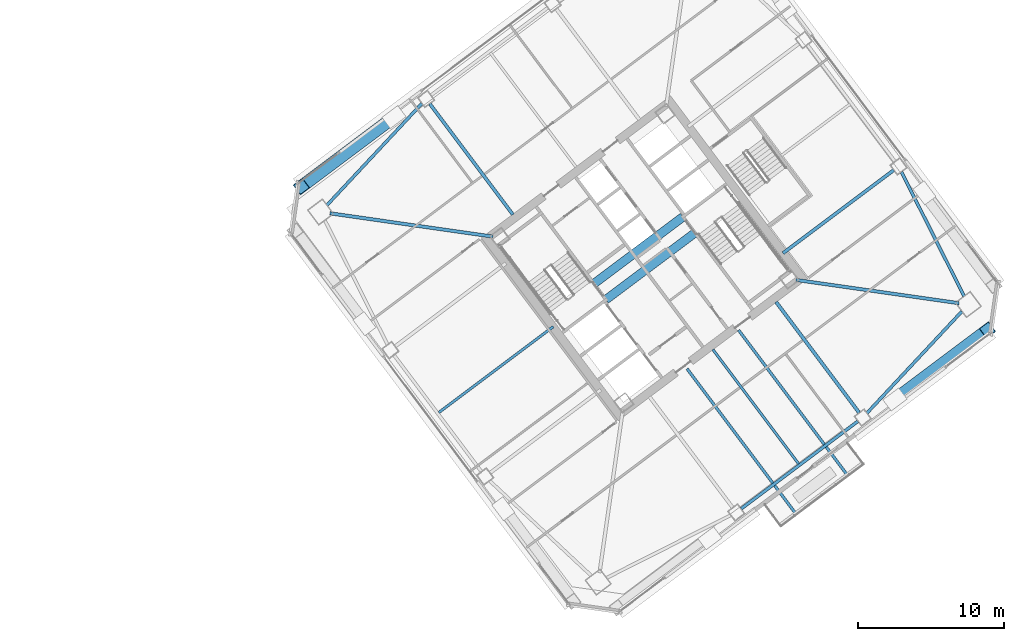
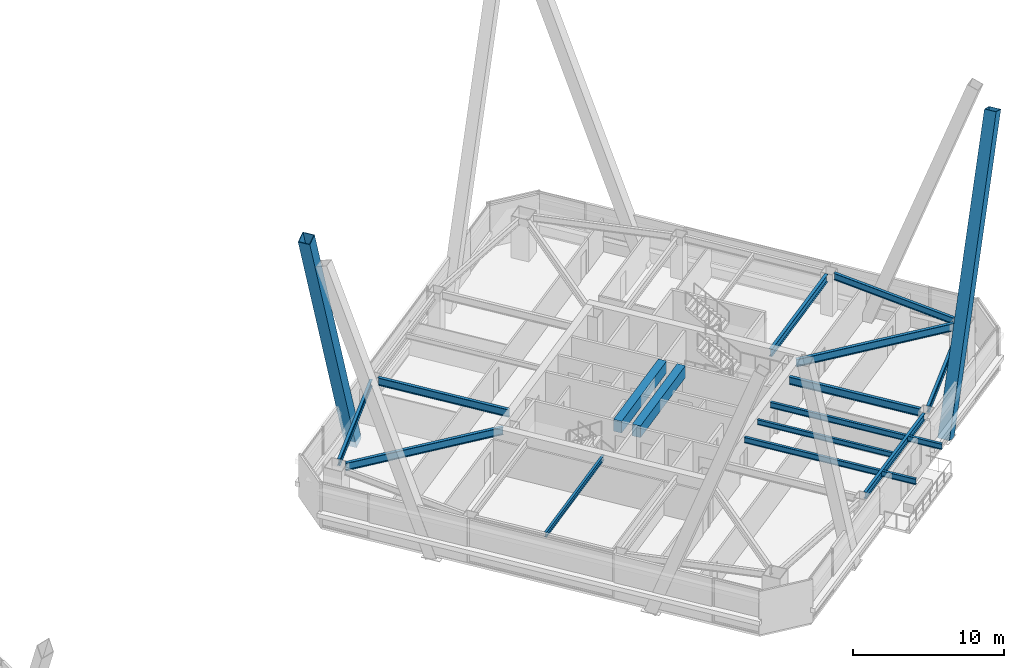
# One storey, part 32 of 54: 15 beams, 2 members.
"""IFC4 building model written with IfcOpenShell, lengths in metres."""

import ifcopenshell
import ifcopenshell.guid

model = None  # the IFC model being written
_history = None  # IfcOwnerHistory: only IFC2X3 demands one
_inside = {}  # id of a spatial element -> (the spatial element, [elements in it])
_under = {}  # id of a project, library or spatial element -> (it, [spatial elements below it])
_declared = {}  # id of a project -> (the project, [libraries it declares])
_typed = {}  # id of a type object -> (the type object, [elements of that type])
_made_of = {}  # id of a material, layer set ... -> (it, [elements and type objects made of it])


def new_model(schema):
    """Start an empty IFC model of exactly this schema.

    Asked for "IFC4X3", IfcOpenShell would pick the latest addendum, in which some entities
    have other attributes; the version numbers below select the first issue.
    IFC2X3 requires an IfcOwnerHistory on every rooted entity: one is made here for all.
    """
    global model, _history
    if schema == "IFC4X3":
        model = ifcopenshell.file(schema_version=(4, 3, 0, 0))
    else:
        model = ifcopenshell.file(schema=schema)
    _inside.clear()
    _under.clear()
    _declared.clear()
    _typed.clear()
    _made_of.clear()
    _history = None
    if model.schema == "IFC2X3":
        org = make("IfcOrganization", Name="unknown")
        user = make(
            "IfcPersonAndOrganization",
            ThePerson=make("IfcPerson", FamilyName="unknown"),
            TheOrganization=org,
        )
        app = make(
            "IfcApplication",
            ApplicationDeveloper=org,
            Version="unknown",
            ApplicationFullName="unknown",
            ApplicationIdentifier="unknown",
        )
        _history = make(
            "IfcOwnerHistory",
            OwningUser=user,
            OwningApplication=app,
            ChangeAction="ADDED",
            CreationDate=0,
        )
    return model


def make(cls, **values):
    """One entity of the class cls with the attributes given. An attribute that is None is left unset."""
    return model.create_entity(
        cls, **{name: value for name, value in values.items() if value is not None}
    )


def rooted(cls, **values):
    """An entity with a GlobalId (a new one), such as an element, a storey or a relation."""
    return make(cls, GlobalId=ifcopenshell.guid.new(), OwnerHistory=_history, **values)


def si_unit(unit_type, name, prefix=None):
    """IfcSIUnit, for example si_unit("LENGTHUNIT", "METRE", prefix="MILLI")."""
    return make("IfcSIUnit", UnitType=unit_type, Prefix=prefix, Name=name)


def assignment(units):
    """IfcUnitAssignment: the units of a project."""
    return None if units is None else make("IfcUnitAssignment", Units=units)


def point(xyz):
    """IfcCartesianPoint."""
    return None if xyz is None else make("IfcCartesianPoint", Coordinates=xyz)


def direction(xyz):
    """IfcDirection."""
    return None if xyz is None else make("IfcDirection", DirectionRatios=xyz)


def frame(location, z_axis=None, x_axis=None):
    """IfcAxis2Placement3D, a coordinate frame: its origin and axes. An axis left out is left unset."""
    return make(
        "IfcAxis2Placement3D",
        Location=point(location),
        Axis=direction(z_axis),
        RefDirection=direction(x_axis),
    )


def frame_2d(location, x_axis=None):
    """IfcAxis2Placement2D, a coordinate frame in the plane: its origin and x axis."""
    return make(
        "IfcAxis2Placement2D", Location=point(location), RefDirection=direction(x_axis)
    )


def origin():
    """The frame at (0, 0, 0) with its axes left unset."""
    return frame((0.0, 0.0, 0.0))


def origin_2d():
    """The frame at (0, 0) in the plane with its x axis left unset."""
    return frame_2d((0.0, 0.0))


def place(relative_to, where):
    """IfcLocalPlacement: puts the frame where relative to a parent placement (None: the world)."""
    return make(
        "IfcLocalPlacement", PlacementRelTo=relative_to, RelativePlacement=where
    )


def context(
    kind, dimensions, precision=None, world=None, true_north=None, identifier=None
):
    """IfcGeometricRepresentationContext, for example the 3D "Model" context."""
    return make(
        "IfcGeometricRepresentationContext",
        ContextIdentifier=identifier,
        ContextType=kind,
        CoordinateSpaceDimension=dimensions,
        Precision=precision,
        WorldCoordinateSystem=world,
        TrueNorth=true_north,
    )


def subcontext(parent, identifier, kind, view, scale=None):
    """IfcGeometricRepresentationSubContext, for example "Body" below "Model"."""
    return make(
        "IfcGeometricRepresentationSubContext",
        ContextIdentifier=identifier,
        ContextType=kind,
        ParentContext=parent,
        TargetScale=scale,
        TargetView=view,
    )


def project(units=None, contexts=None):
    """IfcProject with its units and contexts."""
    return rooted(
        "IfcProject",
        Name="project",
        RepresentationContexts=contexts,
        UnitsInContext=assignment(units),
    )


def spatial(cls, under=None, at=None, **own):
    """A site, building, storey or space (cls), placed at a placement, below another one or the project."""
    s = rooted(cls, ObjectPlacement=at, **own)
    if under is not None:
        _under.setdefault(under.id(), (under, []))[1].append(s)
    return s


def profile(cls, at=None, kind="AREA", **sizes):
    """A parametric profile (cls). Its sizes go by their IFC names, for example OverallWidth=200.0."""
    return make(cls, ProfileType=kind, Position=at, **sizes)


def rectangle(**sizes):
    """IfcRectangleProfileDef."""
    return profile("IfcRectangleProfileDef", **sizes)


def hollow_rectangle(**sizes):
    """IfcRectangleHollowProfileDef."""
    return profile("IfcRectangleHollowProfileDef", **sizes)


def i_section(**sizes):
    """IfcIShapeProfileDef."""
    return profile("IfcIShapeProfileDef", **sizes)


def extrude(swept, where, along, depth):
    """IfcExtrudedAreaSolid: the profile swept, set in the frame where, extruded along a direction by depth."""
    return make(
        "IfcExtrudedAreaSolid",
        SweptArea=swept,
        Position=where,
        ExtrudedDirection=direction(along),
        Depth=depth,
    )


def shape(context_of_items, identifier, shape_type, items):
    """IfcShapeRepresentation: the items that make up one representation, for example the "Body"."""
    return make(
        "IfcShapeRepresentation",
        ContextOfItems=context_of_items,
        RepresentationIdentifier=identifier,
        RepresentationType=shape_type,
        Items=items,
    )


def material(Name=None, Category=None):
    """IfcMaterial."""
    return make("IfcMaterial", Name=Name, Category=Category)


def material_profile(
    of_material, cross_section, Name=None, Category=None, Priority=None
):
    """IfcMaterialProfile: a cross section and its material."""
    return make(
        "IfcMaterialProfile",
        Name=Name,
        Material=of_material,
        Profile=cross_section,
        Priority=Priority,
        Category=Category,
    )


def profile_set(profiles, Name=None, composite=None):
    """IfcMaterialProfileSet."""
    return make(
        "IfcMaterialProfileSet",
        Name=Name,
        MaterialProfiles=profiles,
        CompositeProfile=composite,
    )


def made_of(thing, what):
    """Note that an element or type object is made of a material, layer set ...; save() writes the relation."""
    if what is not None:
        _made_of.setdefault(what.id(), (what, []))[1].append(thing)
    return thing


def type_object(cls, material=None, **own):
    """A type object (cls), such as IfcWallType, which elements share."""
    return made_of(rooted(cls, **own), material)


def element(
    cls,
    number,
    at=None,
    inside=None,
    cuts=None,
    type_object=None,
    material=None,
    context=None,
    identifier="Body",
    shape_type=None,
    held_by="IfcProductDefinitionShape",
    body=None,
    shapes=None,
    **own,
):
    """One element of the class cls, such as IfcWall. Its Tag is "e" and its number.

    at: its placement. inside: the storey or other place that contains it. cuts: it is an
    opening in that element (IfcRelVoidsElement). A single representation is given by context,
    identifier, shape_type and body (its items); several are given by shapes. held_by: the class
    of the entity that holds the representations. save() writes the other relations.
    """
    e = rooted(cls, Tag="e%d" % number, ObjectPlacement=at, **own)
    if body is not None:
        shapes = [shape(context, identifier, shape_type, body)]
    if shapes is not None:
        e.Representation = make(held_by, Representations=shapes)
    if inside is not None:
        _inside.setdefault(inside.id(), (inside, []))[1].append(e)
    if cuts is not None:
        rooted(
            "IfcRelVoidsElement", RelatingBuildingElement=cuts, RelatedOpeningElement=e
        )
    if type_object is not None:
        _typed.setdefault(type_object.id(), (type_object, []))[1].append(e)
    return made_of(e, material)


def aggregate(whole, parts):
    """IfcRelAggregates: a whole, such as a stair, and the parts it consists of."""
    return rooted("IfcRelAggregates", RelatingObject=whole, RelatedObjects=parts)


def save(model, path):
    """Write the relations noted so far, then the file.

    IfcRelAggregates (storeys below a building ...), IfcRelContainedInSpatialStructure (elements
    in a storey), IfcRelDefinesByType, IfcRelAssociatesMaterial and IfcRelDeclares: one each for
    every whole, place, type object, material and project.
    """
    for whole, parts in _under.values():
        aggregate(whole, parts)
    for where, things in _inside.values():
        rooted(
            "IfcRelContainedInSpatialStructure",
            RelatedElements=things,
            RelatingStructure=where,
        )
    for kind, things in _typed.values():
        rooted("IfcRelDefinesByType", RelatedObjects=things, RelatingType=kind)
    for what, things in _made_of.values():
        rooted("IfcRelAssociatesMaterial", RelatedObjects=things, RelatingMaterial=what)
    for by, libraries in _declared.values():
        rooted("IfcRelDeclares", RelatingContext=by, RelatedDefinitions=libraries)
    model.write(path)


model = new_model("IFC4")

# Units and contexts
model_context = context("Model", 3, precision=1e-05, world=origin(), true_north=direction((0.0, 1.0)))
body_context = subcontext(model_context, "Body", "Model", "MODEL_VIEW")
ifc_project = project(units=[si_unit("LENGTHUNIT", "METRE"), si_unit("AREAUNIT", "SQUARE_METRE"), si_unit("VOLUMEUNIT", "CUBIC_METRE"), si_unit("PLANEANGLEUNIT", "RADIAN"), si_unit("MASSUNIT", "GRAM", prefix="KILO")], contexts=[model_context])

# Site, building, storey
site_placement = place(None, origin())
site = spatial("IfcSite", under=ifc_project, at=site_placement, CompositionType="ELEMENT")
building_placement = place(site_placement, origin())
building = spatial("IfcBuilding", under=site, at=building_placement, Name="Tashvorn Skyway Center", CompositionType="ELEMENT")
storey_placement = place(building_placement, frame((0.0, 0.0, 135.699951171875)))
storey = spatial("IfcBuildingStorey", under=building, at=storey_placement, Name="L36", CompositionType="ELEMENT", Elevation=135.699951171875)

# Beams
ifc_material_1 = material(Name="Steel ASTM A992 Grade 50", Category="steel")
ifc_material_profile_1 = material_profile(ifc_material_1, i_section(OverallWidth=0.22998046875, OverallDepth=0.616943359375, WebThickness=0.01318359375, FlangeThickness=0.022216796875, at=origin_2d()), Name="W24X94")
ifc_profile_set_1 = profile_set([ifc_material_profile_1], Name="Steel ASTM A992 Grade 50")
beam_type_1 = type_object("IfcBeamType", Name="BM-BEAM-W24X94", PredefinedType="BEAM", material=ifc_profile_set_1)
for number, where, z_axis, x_axis, name in (
    (1, (135.4814453125, 28.93115234375, 3.0615234375), (-0.989948189712, 0.141430483583, 0.0), (-0.141430483583, -0.989948189712, 0.0), "Tower 2 L36 Primary Floor Girder MC-SE"),
    (2, (92.5185546875, 35.06884765625, 3.0615234375), (0.989948189712, -0.141430483583, 0.0), (0.141430483583, 0.989948189712, 0.0), "Tower 2 L36 Primary Floor Girder MC-NW"),
):
    element("IfcBeam", number, at=place(storey_placement, frame(where, z_axis=z_axis, x_axis=x_axis)), inside=storey, type_object=beam_type_1, Name=name, PredefinedType="BEAM", context=body_context, shape_type="SweptSolid", body=[
        extrude(i_section(OverallWidth=0.22998046875, OverallDepth=0.616943359375, WebThickness=0.01318359375, FlangeThickness=0.022216796875, at=origin_2d()), origin(), (0.0, 0.0, 1.0), 11.234375),
    ])
for number, where, z_axis, x_axis, name in (
    (3, (128.657958984375, 21.4560546875, 3.0615234375), (-0.599991732772, 0.800006200354, 0.0), (-0.800006200354, -0.599991732772, 0.0), "Tower 2 L36 Primary Floor Girder FC-S2"),
    (4, (131.02392578125, 38.01806640625, 3.0615234375), (-0.799984498661, -0.600020667896, 0.0), (0.600020667896, -0.799984498661, 0.0), "Tower 2 L36 Primary Floor Girder FC-E1"),
    (5, (99.342041015625, 42.5439453125, 3.0615234375), (0.599991732772, -0.800006200354, 0.0), (0.800006200354, 0.599991732772, 0.0), "Tower 2 L36 Primary Floor Girder FC-N2"),
):
    element("IfcBeam", number, at=place(storey_placement, frame(where, z_axis=z_axis, x_axis=x_axis)), inside=storey, type_object=beam_type_1, Name=name, PredefinedType="BEAM", context=body_context, shape_type="SweptSolid", body=[
        extrude(i_section(OverallWidth=0.22998046875, OverallDepth=0.616943359375, WebThickness=0.01318359375, FlangeThickness=0.022216796875, at=origin_2d()), origin(), (0.0, 0.0, 1.0), 9.449951171875),
    ])
ifc_material_profile_2 = material_profile(ifc_material_1, i_section(OverallWidth=0.177978515625, OverallDepth=0.406005859375, WebThickness=0.0078125, FlangeThickness=0.0126953125, at=origin_2d()), Name="W16X40")
ifc_profile_set_2 = profile_set([ifc_material_profile_2], Name="Steel ASTM A992 Grade 50")
beam_type_2 = type_object("IfcBeamType", Name="BM-JOIST-W16X40", PredefinedType="JOIST", material=ifc_profile_set_2)
for number, where, z_axis, x_axis, name in (
    (6, (118.674072265625, 25.76806640625, 3.1669921875), (0.599991997409, -0.800006001881, 0.0), (0.800006001881, 0.599991997409, 0.0), "Tower 2 L36 Secondary Composite Joist JS"),
    (7, (107.76806640625, 27.325927734375, 3.1669921875), (-0.800006001881, -0.599991997409, 0.0), (0.599991997409, -0.800006001881, 0.0), "Tower 2 L36 Secondary Composite Joist JW"),
):
    element("IfcBeam", number, at=place(storey_placement, frame(where, z_axis=z_axis, x_axis=x_axis)), inside=storey, type_object=beam_type_2, Name=name, PredefinedType="JOIST", context=body_context, shape_type="SweptSolid", body=[
        extrude(i_section(OverallWidth=0.177978515625, OverallDepth=0.406005859375, WebThickness=0.0078125, FlangeThickness=0.0126953125, at=origin_2d()), origin(), (0.0, 0.0, 1.0), 9.762451171875),
    ])
ifc_material_profile_3 = material_profile(ifc_material_1, i_section(OverallWidth=0.19091796875, OverallDepth=0.4599609375, WebThickness=0.010009765625, FlangeThickness=0.01611328125, at=origin_2d()), Name="W18X55")
ifc_profile_set_3 = profile_set([ifc_material_profile_3], Name="Steel ASTM A992 Grade 50")
beam_type_3 = type_object("IfcBeamType", Name="BM-JOIST-W18X55", PredefinedType="JOIST", material=ifc_profile_set_3)
for number, where, z_axis, x_axis, name in (
    (8, (116.907958984375, 24.4560546875, 3.14013671875), (0.60000631563, -0.799995263239, 0.0), (0.799995263239, 0.60000631563, 0.0), "Tower 2 L37 Terrace Cantilever Outlooker 1"),
    (9, (120.427978515625, 27.095947265625, 3.14013671875), (0.60000631563, -0.799995263239, 0.0), (0.799995263239, 0.60000631563, 0.0), "Tower 2 L37 Terrace Cantilever Outlooker 2"),
):
    element("IfcBeam", number, at=place(storey_placement, frame(where, z_axis=z_axis, x_axis=x_axis)), inside=storey, type_object=beam_type_3, Name=name, PredefinedType="JOIST", context=body_context, shape_type="SweptSolid", body=[
        extrude(i_section(OverallWidth=0.19091796875, OverallDepth=0.4599609375, WebThickness=0.010009765625, FlangeThickness=0.01611328125, at=origin_2d()), origin(), (0.0, 0.0, 1.0), 12.3701171875),
    ])
ifc_material_2 = material(Name="Concrete C60/75", Category="concrete")
ifc_material_profile_4 = material_profile(ifc_material_2, rectangle(XDim=0.60009765625, YDim=0.949951171875, at=origin_2d()), Name="RCB600x950")
ifc_profile_set_4 = profile_set([ifc_material_profile_4], Name="Concrete C60/75")
beam_type_4 = type_object("IfcBeamType", Name="BM-LINTEL-RCB600x950", PredefinedType="LINTEL", material=ifc_profile_set_4)
for number, where, z_axis, x_axis, name in (
    (10, (110.552001953125, 30.263916015625, 2.89501953125), (0.8, 0.6, 0.0), (-0.6, 0.8, 0.0), "Tower 2 L36 Core Coupling Beam CN"),
    (11, (111.367919921875, 29.176025390625, 2.89501953125), (0.8, 0.6, 0.0), (-0.6, 0.8, 0.0), "Tower 2 L36 Core Coupling Beam CS"),
):
    element("IfcBeam", number, at=place(storey_placement, frame(where, z_axis=z_axis, x_axis=x_axis)), inside=storey, type_object=beam_type_4, Name=name, PredefinedType="LINTEL", context=body_context, shape_type="SweptSolid", body=[
        extrude(rectangle(XDim=0.60009765625, YDim=0.949951171875, at=origin_2d()), origin(), (0.0, 0.0, 1.0), 7.60009765625),
    ])
ifc_material_profile_5 = material_profile(ifc_material_1, i_section(OverallWidth=0.2109375, OverallDepth=0.5390625, WebThickness=0.01171875, FlangeThickness=0.018798828125, at=origin_2d()), Name="W21X73")
ifc_profile_set_5 = profile_set([ifc_material_profile_5], Name="Steel ASTM A992 Grade 50")
beam_type_5 = type_object("IfcBeamType", Name="BM-SPANDREL-W21X73", PredefinedType="SPANDREL", material=ifc_profile_set_5)
beam_1_placement = place(storey_placement, frame((120.60595703125, 14.89208984375, 3.1005859375), z_axis=(0.800008824351, 0.599988234018, 0.0), x_axis=(-0.599988234018, 0.800008824351, 0.0)))
element("IfcBeam", 12, at=beam_1_placement, inside=storey, type_object=beam_type_5, Name="Tower 2 L36 Spandrel Beam 02", PredefinedType="SPANDREL", context=body_context, shape_type="SweptSolid", body=[
    extrude(i_section(OverallWidth=0.2109375, OverallDepth=0.5390625, WebThickness=0.01171875, FlangeThickness=0.018798828125, at=origin_2d()), origin(), (0.0, 0.0, 1.0), 9.9599609375),
])
beam_2_placement = place(storey_placement, frame((129.19677734375, 21.427001953125, 3.1005859375), z_axis=(0.682545341102, 0.730843250868, 0.0), x_axis=(-0.730843250868, 0.682545341102, 0.0)))
element("IfcBeam", 13, at=beam_2_placement, inside=storey, type_object=beam_type_5, Name="Tower 2 L36 Spandrel Beam 03", PredefinedType="SPANDREL", context=body_context, shape_type="SweptSolid", body=[
    extrude(i_section(OverallWidth=0.2109375, OverallDepth=0.5390625, WebThickness=0.01171875, FlangeThickness=0.018798828125, at=origin_2d()), origin(), (0.0, 0.0, 1.0), 9.498046875),
])
beam_3_placement = place(storey_placement, frame((135.829345703125, 29.415771484375, 3.1005859375), z_axis=(-0.450613543136, 0.892719124217, 0.0), x_axis=(-0.892719124217, -0.450613543136, 0.0)))
element("IfcBeam", 14, at=beam_3_placement, inside=storey, type_object=beam_type_5, Name="Tower 2 L36 Spandrel Beam 04", PredefinedType="SPANDREL", context=body_context, shape_type="SweptSolid", body=[
    extrude(i_section(OverallWidth=0.2109375, OverallDepth=0.5390625, WebThickness=0.01171875, FlangeThickness=0.018798828125, at=origin_2d()), origin(), (0.0, 0.0, 1.0), 9.498291015625),
])
beam_4_placement = place(storey_placement, frame((98.80322265625, 42.572998046875, 3.1005859375), z_axis=(-0.682545341102, -0.730843250868, 0.0), x_axis=(0.730843250868, -0.682545341102, 0.0)))
element("IfcBeam", 15, at=beam_4_placement, inside=storey, type_object=beam_type_5, Name="Tower 2 L36 Spandrel Beam 09", PredefinedType="SPANDREL", context=body_context, shape_type="SweptSolid", body=[
    extrude(i_section(OverallWidth=0.2109375, OverallDepth=0.5390625, WebThickness=0.01171875, FlangeThickness=0.018798828125, at=origin_2d()), origin(), (0.0, 0.0, 1.0), 9.498046875),
])

# Members
ifc_material_3 = material(Name="Steel ASTM A572 Grade 50", Category="steel")
ifc_material_profile_6 = material_profile(ifc_material_3, hollow_rectangle(XDim=0.85009765625, YDim=0.85009765625, WallThickness=0.034912109375, at=origin_2d()), Name="BOX850x850x35")
ifc_profile_set_6 = profile_set([ifc_material_profile_6], Name="Steel ASTM A572 Grade 50")
member_type = type_object("IfcMemberType", Name="MEM-MB-850", PredefinedType="BRACE", material=ifc_profile_set_6)
for number, where, z_axis, x_axis, name in (
    (16, (131.10791015625, 22.35595703125, -0.449951171875), (0.27569336859, 0.206767363973, 0.938744067204), (-0.599995055399, 0.800003708427, 0.0), "Tower 2 Zone 3 S Chevron Mega-Brace R2"),
    (17, (96.89208984375, 41.64404296875, -0.449951171875), (-0.27569336859, -0.206767363973, 0.938744067204), (0.599995055399, -0.800003708427, 0.0), "Tower 2 Zone 3 N Chevron Mega-Brace R2"),
):
    element("IfcMember", number, at=place(storey_placement, frame(where, z_axis=z_axis, x_axis=x_axis)), inside=storey, type_object=member_type, Name=name, PredefinedType="BRACE", context=body_context, shape_type="SweptSolid", body=[
        extrude(hollow_rectangle(XDim=0.85009765625, YDim=0.85009765625, WallThickness=0.034912109375, at=origin_2d()), origin(), (0.0, 0.0, 1.0), 22.92431640625),
    ])

save(model, "model.ifc")
